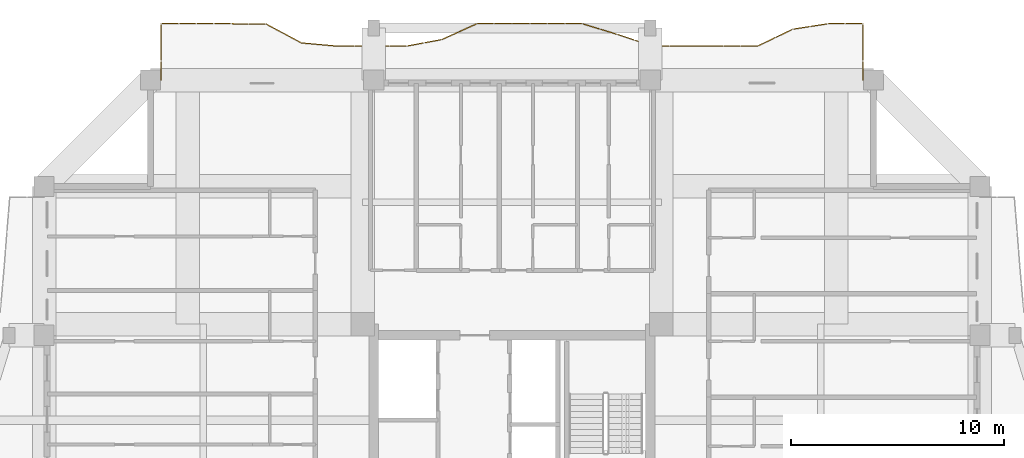
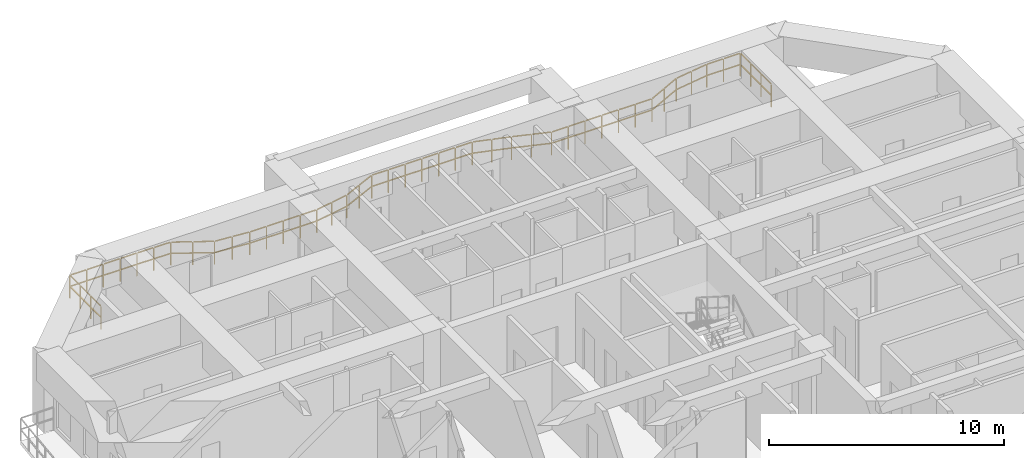
# One storey, part 15 of 15: 1 railing.
"""IFC4 building model written with IfcOpenShell, lengths in metres."""

from ifc_helpers import new_model, si_unit, direction, frame, origin, origin_2d, place, context, subcontext, project, spatial, rectangle, extrude, material, type_object, element, save


model = new_model("IFC4")

# Units and contexts
model_context = context("Model", 3, precision=1e-05, world=origin(), true_north=direction((0.0, 1.0)))
body_context = subcontext(model_context, "Body", "Model", "MODEL_VIEW")
ifc_project = project(units=[si_unit("LENGTHUNIT", "METRE"), si_unit("AREAUNIT", "SQUARE_METRE"), si_unit("VOLUMEUNIT", "CUBIC_METRE"), si_unit("PLANEANGLEUNIT", "RADIAN"), si_unit("MASSUNIT", "GRAM", prefix="KILO")], contexts=[model_context])

# Site, building, storey
site_placement = place(None, origin())
site = spatial("IfcSite", under=ifc_project, at=site_placement, CompositionType="ELEMENT")
building_placement = place(site_placement, origin())
building = spatial("IfcBuilding", under=site, at=building_placement, Name="Saelheon Loggia Tower", CompositionType="ELEMENT")
storey_placement = place(building_placement, frame((0.0, 0.0, 169.0)))
storey = spatial("IfcBuildingStorey", under=building, at=storey_placement, Name="L53", CompositionType="ELEMENT", Elevation=169.0)

# Railing
ifc_material = material(Name="Architectural Precast Concrete and Laminated Glass Guard", Category="concrete")
railing_type = type_object("IfcRailingType", Name="Guard_Loggia_RL_LOG", PredefinedType="BALUSTRADE", material=ifc_material)
railing_placement = place(storey_placement, frame((54.5, 48.0, 0.0)))
element("IfcRailing", 1, at=railing_placement, inside=storey, type_object=railing_type, Name="L53 North Loggia Balustrade", PredefinedType="BALUSTRADE", context=body_context, shape_type="SweptSolid", body=[
    extrude(rectangle(XDim=0.048095703125, YDim=0.048095703125, at=origin_2d()), frame((0.0, 0.033203125, 1.19580078125), z_axis=(0.0, 1.0, 0.0), x_axis=(-1.0, 0.0, 0.0)), (0.0, 0.0, 1.0), 0.81689453125),
    extrude(rectangle(XDim=0.048095703125, YDim=0.048095703125, at=origin_2d()), frame((0.0, 0.033203125, 0.60986328125), z_axis=(0.0, 1.0, 0.0), x_axis=(-1.0, 0.0, 0.0)), (0.0, 0.0, 1.0), 0.81689453125),
    extrude(rectangle(XDim=0.048095703125, YDim=0.048095703125, at=origin_2d()), frame((0.0, 0.91650390625, 1.19580078125), z_axis=(0.0, 1.0, 0.0), x_axis=(-1.0, 0.0, 0.0)), (0.0, 0.0, 1.0), 0.81689453125),
    extrude(rectangle(XDim=0.048095703125, YDim=0.048095703125, at=origin_2d()), frame((0.0, 0.91650390625, 0.60986328125), z_axis=(0.0, 1.0, 0.0), x_axis=(-1.0, 0.0, 0.0)), (0.0, 0.0, 1.0), 0.81689453125),
    extrude(rectangle(XDim=0.048095703125, YDim=0.048095703125, at=origin_2d()), frame((0.0, 1.7998046875, 1.19580078125), z_axis=(0.0, 1.0, 0.0), x_axis=(-1.0, 0.0, 0.0)), (0.0, 0.0, 1.0), 0.81689453125),
    extrude(rectangle(XDim=0.048095703125, YDim=0.048095703125, at=origin_2d()), frame((0.0, 1.7998046875, 0.60986328125), z_axis=(0.0, 1.0, 0.0), x_axis=(-1.0, 0.0, 0.0)), (0.0, 0.0, 1.0), 0.81689453125),
    extrude(rectangle(XDim=0.048095703125, YDim=0.048095703125, at=origin_2d()), frame((-0.033203125, 2.64990234375, 1.19580078125), z_axis=(-1.0, 0.0, 0.0), x_axis=(0.0, -1.0, 0.0)), (0.0, 0.0, 1.0), 0.758544921875),
    extrude(rectangle(XDim=0.048095703125, YDim=0.048095703125, at=origin_2d()), frame((-0.033203125, 2.64990234375, 0.60986328125), z_axis=(-1.0, 0.0, 0.0), x_axis=(0.0, -1.0, 0.0)), (0.0, 0.0, 1.0), 0.758544921875),
    extrude(rectangle(XDim=0.048095703125, YDim=0.048095703125, at=origin_2d()), frame((-0.858154296875, 2.64990234375, 1.19580078125), z_axis=(-1.0, 0.0, 0.0), x_axis=(0.0, -1.0, 0.0)), (0.0, 0.0, 1.0), 0.758544921875),
    extrude(rectangle(XDim=0.048095703125, YDim=0.048095703125, at=origin_2d()), frame((-0.858154296875, 2.64990234375, 0.60986328125), z_axis=(-1.0, 0.0, 0.0), x_axis=(0.0, -1.0, 0.0)), (0.0, 0.0, 1.0), 0.758544921875),
    extrude(rectangle(XDim=0.048095703125, YDim=0.048095703125, at=origin_2d()), frame((-1.682861328125, 2.644775390625, 1.19580078125), z_axis=(-0.988125348909, -0.153649910002, 0.0), x_axis=(0.153649910002, -0.988125348909, 0.0)), (0.0, 0.0, 1.0), 0.7685546875),
    extrude(rectangle(XDim=0.048095703125, YDim=0.048095703125, at=origin_2d()), frame((-1.682861328125, 2.644775390625, 0.60986328125), z_axis=(-0.988125348909, -0.153649910002, 0.0), x_axis=(0.153649910002, -0.988125348909, 0.0)), (0.0, 0.0, 1.0), 0.7685546875),
    extrude(rectangle(XDim=0.048095703125, YDim=0.048095703125, at=origin_2d()), frame((-2.5078125, 2.5166015625, 1.19580078125), z_axis=(-0.988125348909, -0.153649910002, 0.0), x_axis=(0.153649910002, -0.988125348909, 0.0)), (0.0, 0.0, 1.0), 0.7685546875),
    extrude(rectangle(XDim=0.048095703125, YDim=0.048095703125, at=origin_2d()), frame((-2.5078125, 2.5166015625, 0.60986328125), z_axis=(-0.988125348909, -0.153649910002, 0.0), x_axis=(0.153649910002, -0.988125348909, 0.0)), (0.0, 0.0, 1.0), 0.7685546875),
    extrude(rectangle(XDim=0.048095703125, YDim=0.048095703125, at=origin_2d()), frame((-3.330078125, 2.37890625, 1.19580078125), z_axis=(-0.901254427536, -0.43329026858, 0.0), x_axis=(0.43329026858, -0.901254427536, 0.0)), (0.0, 0.0, 1.0), 0.848876953125),
    extrude(rectangle(XDim=0.048095703125, YDim=0.048095703125, at=origin_2d()), frame((-3.330078125, 2.37890625, 0.60986328125), z_axis=(-0.901254427536, -0.43329026858, 0.0), x_axis=(0.43329026858, -0.901254427536, 0.0)), (0.0, 0.0, 1.0), 0.848876953125),
    extrude(rectangle(XDim=0.048095703125, YDim=0.048095703125, at=origin_2d()), frame((-4.155029296875, 1.982421875, 1.19580078125), z_axis=(-0.901254427536, -0.43329026858, 0.0), x_axis=(0.43329026858, -0.901254427536, 0.0)), (0.0, 0.0, 1.0), 0.848876953125),
    extrude(rectangle(XDim=0.048095703125, YDim=0.048095703125, at=origin_2d()), frame((-4.155029296875, 1.982421875, 0.60986328125), z_axis=(-0.901254427536, -0.43329026858, 0.0), x_axis=(0.43329026858, -0.901254427536, 0.0)), (0.0, 0.0, 1.0), 0.848876953125),
    extrude(rectangle(XDim=0.048095703125, YDim=0.048095703125, at=origin_2d()), frame((-4.983154296875, 1.60009765625, 1.19580078125), z_axis=(-1.0, 0.0, 0.0), x_axis=(0.0, -1.0, 0.0)), (0.0, 0.0, 1.0), 0.758544921875),
    extrude(rectangle(XDim=0.048095703125, YDim=0.048095703125, at=origin_2d()), frame((-4.983154296875, 1.60009765625, 0.60986328125), z_axis=(-1.0, 0.0, 0.0), x_axis=(0.0, -1.0, 0.0)), (0.0, 0.0, 1.0), 0.758544921875),
    extrude(rectangle(XDim=0.048095703125, YDim=0.048095703125, at=origin_2d()), frame((-5.808349609375, 1.60009765625, 1.19580078125), z_axis=(-1.0, 0.0, 0.0), x_axis=(0.0, -1.0, 0.0)), (0.0, 0.0, 1.0), 0.758544921875),
    extrude(rectangle(XDim=0.048095703125, YDim=0.048095703125, at=origin_2d()), frame((-5.808349609375, 1.60009765625, 0.60986328125), z_axis=(-1.0, 0.0, 0.0), x_axis=(0.0, -1.0, 0.0)), (0.0, 0.0, 1.0), 0.758544921875),
    extrude(rectangle(XDim=0.048095703125, YDim=0.048095703125, at=origin_2d()), frame((-6.63330078125, 1.60009765625, 1.19580078125), z_axis=(-1.0, 0.0, 0.0), x_axis=(0.0, -1.0, 0.0)), (0.0, 0.0, 1.0), 0.758544921875),
    extrude(rectangle(XDim=0.048095703125, YDim=0.048095703125, at=origin_2d()), frame((-6.63330078125, 1.60009765625, 0.60986328125), z_axis=(-1.0, 0.0, 0.0), x_axis=(0.0, -1.0, 0.0)), (0.0, 0.0, 1.0), 0.758544921875),
    extrude(rectangle(XDim=0.048095703125, YDim=0.048095703125, at=origin_2d()), frame((-7.458251953125, 1.60009765625, 1.19580078125), z_axis=(-1.0, 0.0, 0.0), x_axis=(0.0, -1.0, 0.0)), (0.0, 0.0, 1.0), 0.758544921875),
    extrude(rectangle(XDim=0.048095703125, YDim=0.048095703125, at=origin_2d()), frame((-7.458251953125, 1.60009765625, 0.60986328125), z_axis=(-1.0, 0.0, 0.0), x_axis=(0.0, -1.0, 0.0)), (0.0, 0.0, 1.0), 0.758544921875),
    extrude(rectangle(XDim=0.048095703125, YDim=0.048095703125, at=origin_2d()), frame((-8.283203125, 1.60009765625, 1.19580078125), z_axis=(-1.0, 0.0, 0.0), x_axis=(0.0, -1.0, 0.0)), (0.0, 0.0, 1.0), 0.758544921875),
    extrude(rectangle(XDim=0.048095703125, YDim=0.048095703125, at=origin_2d()), frame((-8.283203125, 1.60009765625, 0.60986328125), z_axis=(-1.0, 0.0, 0.0), x_axis=(0.0, -1.0, 0.0)), (0.0, 0.0, 1.0), 0.758544921875),
    extrude(rectangle(XDim=0.048095703125, YDim=0.048095703125, at=origin_2d()), frame((-9.108154296875, 1.60009765625, 1.19580078125), z_axis=(-1.0, 0.0, 0.0), x_axis=(0.0, -1.0, 0.0)), (0.0, 0.0, 1.0), 0.758544921875),
    extrude(rectangle(XDim=0.048095703125, YDim=0.048095703125, at=origin_2d()), frame((-9.108154296875, 1.60009765625, 0.60986328125), z_axis=(-1.0, 0.0, 0.0), x_axis=(0.0, -1.0, 0.0)), (0.0, 0.0, 1.0), 0.758544921875),
    extrude(rectangle(XDim=0.048095703125, YDim=0.048095703125, at=origin_2d()), frame((-9.931396484375, 1.610595703125, 1.19580078125), z_axis=(-0.948725399067, 0.316101434931, 0.0), x_axis=(-0.316101434931, -0.948725399067, 0.0)), (0.0, 0.0, 1.0), 0.80322265625),
    extrude(rectangle(XDim=0.048095703125, YDim=0.048095703125, at=origin_2d()), frame((-9.931396484375, 1.610595703125, 0.60986328125), z_axis=(-0.948725399067, 0.316101434931, 0.0), x_axis=(-0.316101434931, -0.948725399067, 0.0)), (0.0, 0.0, 1.0), 0.80322265625),
    extrude(rectangle(XDim=0.048095703125, YDim=0.048095703125, at=origin_2d()), frame((-10.756591796875, 1.885498046875, 1.19580078125), z_axis=(-0.948725399067, 0.316101434931, 0.0), x_axis=(-0.316101434931, -0.948725399067, 0.0)), (0.0, 0.0, 1.0), 0.80322265625),
    extrude(rectangle(XDim=0.048095703125, YDim=0.048095703125, at=origin_2d()), frame((-10.756591796875, 1.885498046875, 0.60986328125), z_axis=(-0.948725399067, 0.316101434931, 0.0), x_axis=(-0.316101434931, -0.948725399067, 0.0)), (0.0, 0.0, 1.0), 0.80322265625),
    extrude(rectangle(XDim=0.048095703125, YDim=0.048095703125, at=origin_2d()), frame((-11.581787109375, 2.159423828125, 1.19580078125), z_axis=(-0.957019640205, 0.290023116771, 0.0), x_axis=(-0.290023116771, -0.957019640205, 0.0)), (0.0, 0.0, 1.0), 0.79541015625),
    extrude(rectangle(XDim=0.048095703125, YDim=0.048095703125, at=origin_2d()), frame((-11.581787109375, 2.159423828125, 0.60986328125), z_axis=(-0.957019640205, 0.290023116771, 0.0), x_axis=(-0.290023116771, -0.957019640205, 0.0)), (0.0, 0.0, 1.0), 0.79541015625),
    extrude(rectangle(XDim=0.048095703125, YDim=0.048095703125, at=origin_2d()), frame((-12.40673828125, 2.409423828125, 1.19580078125), z_axis=(-0.957019640205, 0.290023116771, 0.0), x_axis=(-0.290023116771, -0.957019640205, 0.0)), (0.0, 0.0, 1.0), 0.79541015625),
    extrude(rectangle(XDim=0.048095703125, YDim=0.048095703125, at=origin_2d()), frame((-12.40673828125, 2.409423828125, 0.60986328125), z_axis=(-0.957019640205, 0.290023116771, 0.0), x_axis=(-0.290023116771, -0.957019640205, 0.0)), (0.0, 0.0, 1.0), 0.79541015625),
    extrude(rectangle(XDim=0.048095703125, YDim=0.048095703125, at=origin_2d()), frame((-13.233154296875, 2.64990234375, 1.19580078125), z_axis=(-1.0, 0.0, 0.0), x_axis=(0.0, -1.0, 0.0)), (0.0, 0.0, 1.0), 0.758544921875),
    extrude(rectangle(XDim=0.048095703125, YDim=0.048095703125, at=origin_2d()), frame((-13.233154296875, 2.64990234375, 0.60986328125), z_axis=(-1.0, 0.0, 0.0), x_axis=(0.0, -1.0, 0.0)), (0.0, 0.0, 1.0), 0.758544921875),
    extrude(rectangle(XDim=0.048095703125, YDim=0.048095703125, at=origin_2d()), frame((-14.058349609375, 2.64990234375, 1.19580078125), z_axis=(-1.0, 0.0, 0.0), x_axis=(0.0, -1.0, 0.0)), (0.0, 0.0, 1.0), 0.758544921875),
    extrude(rectangle(XDim=0.048095703125, YDim=0.048095703125, at=origin_2d()), frame((-14.058349609375, 2.64990234375, 0.60986328125), z_axis=(-1.0, 0.0, 0.0), x_axis=(0.0, -1.0, 0.0)), (0.0, 0.0, 1.0), 0.758544921875),
    extrude(rectangle(XDim=0.048095703125, YDim=0.048095703125, at=origin_2d()), frame((-14.88330078125, 2.64990234375, 1.19580078125), z_axis=(-1.0, 0.0, 0.0), x_axis=(0.0, -1.0, 0.0)), (0.0, 0.0, 1.0), 0.758544921875),
    extrude(rectangle(XDim=0.048095703125, YDim=0.048095703125, at=origin_2d()), frame((-14.88330078125, 2.64990234375, 0.60986328125), z_axis=(-1.0, 0.0, 0.0), x_axis=(0.0, -1.0, 0.0)), (0.0, 0.0, 1.0), 0.758544921875),
    extrude(rectangle(XDim=0.048095703125, YDim=0.048095703125, at=origin_2d()), frame((-15.708251953125, 2.64990234375, 1.19580078125), z_axis=(-1.0, 0.0, 0.0), x_axis=(0.0, -1.0, 0.0)), (0.0, 0.0, 1.0), 0.758544921875),
    extrude(rectangle(XDim=0.048095703125, YDim=0.048095703125, at=origin_2d()), frame((-15.708251953125, 2.64990234375, 0.60986328125), z_axis=(-1.0, 0.0, 0.0), x_axis=(0.0, -1.0, 0.0)), (0.0, 0.0, 1.0), 0.758544921875),
    extrude(rectangle(XDim=0.048095703125, YDim=0.048095703125, at=origin_2d()), frame((-16.533203125, 2.64990234375, 1.19580078125), z_axis=(-1.0, 0.0, 0.0), x_axis=(0.0, -1.0, 0.0)), (0.0, 0.0, 1.0), 0.758544921875),
    extrude(rectangle(XDim=0.048095703125, YDim=0.048095703125, at=origin_2d()), frame((-16.533203125, 2.64990234375, 0.60986328125), z_axis=(-1.0, 0.0, 0.0), x_axis=(0.0, -1.0, 0.0)), (0.0, 0.0, 1.0), 0.758544921875),
    extrude(rectangle(XDim=0.048095703125, YDim=0.048095703125, at=origin_2d()), frame((-17.358154296875, 2.64990234375, 1.19580078125), z_axis=(-1.0, 0.0, 0.0), x_axis=(0.0, -1.0, 0.0)), (0.0, 0.0, 1.0), 0.758544921875),
    extrude(rectangle(XDim=0.048095703125, YDim=0.048095703125, at=origin_2d()), frame((-17.358154296875, 2.64990234375, 0.60986328125), z_axis=(-1.0, 0.0, 0.0), x_axis=(0.0, -1.0, 0.0)), (0.0, 0.0, 1.0), 0.758544921875),
    extrude(rectangle(XDim=0.048095703125, YDim=0.048095703125, at=origin_2d()), frame((-18.18017578125, 2.63623046875, 1.19580078125), z_axis=(-0.911797780873, -0.41063950954, 0.0), x_axis=(0.41063950954, -0.911797780873, 0.0)), (0.0, 0.0, 1.0), 0.83837890625),
    extrude(rectangle(XDim=0.048095703125, YDim=0.048095703125, at=origin_2d()), frame((-18.18017578125, 2.63623046875, 0.60986328125), z_axis=(-0.911797780873, -0.41063950954, 0.0), x_axis=(0.41063950954, -0.911797780873, 0.0)), (0.0, 0.0, 1.0), 0.83837890625),
    extrude(rectangle(XDim=0.048095703125, YDim=0.048095703125, at=origin_2d()), frame((-19.00537109375, 2.2646484375, 1.19580078125), z_axis=(-0.911797780873, -0.41063950954, 0.0), x_axis=(0.41063950954, -0.911797780873, 0.0)), (0.0, 0.0, 1.0), 0.83837890625),
    extrude(rectangle(XDim=0.048095703125, YDim=0.048095703125, at=origin_2d()), frame((-19.00537109375, 2.2646484375, 0.60986328125), z_axis=(-0.911797780873, -0.41063950954, 0.0), x_axis=(0.41063950954, -0.911797780873, 0.0)), (0.0, 0.0, 1.0), 0.83837890625),
    extrude(rectangle(XDim=0.048095703125, YDim=0.048095703125, at=origin_2d()), frame((-19.832763671875, 1.900634765625, 1.19580078125), z_axis=(-0.983164102329, -0.182724787293, 0.0), x_axis=(0.182724787293, -0.983164102329, 0.0)), (0.0, 0.0, 1.0), 0.772705078125),
    extrude(rectangle(XDim=0.048095703125, YDim=0.048095703125, at=origin_2d()), frame((-19.832763671875, 1.900634765625, 0.60986328125), z_axis=(-0.983164102329, -0.182724787293, 0.0), x_axis=(0.182724787293, -0.983164102329, 0.0)), (0.0, 0.0, 1.0), 0.772705078125),
    extrude(rectangle(XDim=0.048095703125, YDim=0.048095703125, at=origin_2d()), frame((-20.65771484375, 1.747314453125, 1.19580078125), z_axis=(-0.983164102329, -0.182724787293, 0.0), x_axis=(0.182724787293, -0.983164102329, 0.0)), (0.0, 0.0, 1.0), 0.772705078125),
    extrude(rectangle(XDim=0.048095703125, YDim=0.048095703125, at=origin_2d()), frame((-20.65771484375, 1.747314453125, 0.60986328125), z_axis=(-0.983164102329, -0.182724787293, 0.0), x_axis=(0.182724787293, -0.983164102329, 0.0)), (0.0, 0.0, 1.0), 0.772705078125),
    extrude(rectangle(XDim=0.048095703125, YDim=0.048095703125, at=origin_2d()), frame((-21.483154296875, 1.60009765625, 1.19580078125), z_axis=(-1.0, 0.0, 0.0), x_axis=(0.0, -1.0, 0.0)), (0.0, 0.0, 1.0), 0.758544921875),
    extrude(rectangle(XDim=0.048095703125, YDim=0.048095703125, at=origin_2d()), frame((-21.483154296875, 1.60009765625, 0.60986328125), z_axis=(-1.0, 0.0, 0.0), x_axis=(0.0, -1.0, 0.0)), (0.0, 0.0, 1.0), 0.758544921875),
    extrude(rectangle(XDim=0.048095703125, YDim=0.048095703125, at=origin_2d()), frame((-22.308349609375, 1.60009765625, 1.19580078125), z_axis=(-1.0, 0.0, 0.0), x_axis=(0.0, -1.0, 0.0)), (0.0, 0.0, 1.0), 0.758544921875),
    extrude(rectangle(XDim=0.048095703125, YDim=0.048095703125, at=origin_2d()), frame((-22.308349609375, 1.60009765625, 0.60986328125), z_axis=(-1.0, 0.0, 0.0), x_axis=(0.0, -1.0, 0.0)), (0.0, 0.0, 1.0), 0.758544921875),
    extrude(rectangle(XDim=0.048095703125, YDim=0.048095703125, at=origin_2d()), frame((-23.13330078125, 1.60009765625, 1.19580078125), z_axis=(-1.0, 0.0, 0.0), x_axis=(0.0, -1.0, 0.0)), (0.0, 0.0, 1.0), 0.758544921875),
    extrude(rectangle(XDim=0.048095703125, YDim=0.048095703125, at=origin_2d()), frame((-23.13330078125, 1.60009765625, 0.60986328125), z_axis=(-1.0, 0.0, 0.0), x_axis=(0.0, -1.0, 0.0)), (0.0, 0.0, 1.0), 0.758544921875),
    extrude(rectangle(XDim=0.048095703125, YDim=0.048095703125, at=origin_2d()), frame((-23.958251953125, 1.60009765625, 1.19580078125), z_axis=(-1.0, 0.0, 0.0), x_axis=(0.0, -1.0, 0.0)), (0.0, 0.0, 1.0), 0.758544921875),
    extrude(rectangle(XDim=0.048095703125, YDim=0.048095703125, at=origin_2d()), frame((-23.958251953125, 1.60009765625, 0.60986328125), z_axis=(-1.0, 0.0, 0.0), x_axis=(0.0, -1.0, 0.0)), (0.0, 0.0, 1.0), 0.758544921875),
    extrude(rectangle(XDim=0.048095703125, YDim=0.048095703125, at=origin_2d()), frame((-24.783203125, 1.60302734375, 1.19580078125), z_axis=(-0.995990475116, 0.089459339804, 0.0), x_axis=(-0.089459339804, -0.995990475116, 0.0)), (0.0, 0.0, 1.0), 0.76171875),
    extrude(rectangle(XDim=0.048095703125, YDim=0.048095703125, at=origin_2d()), frame((-24.783203125, 1.60302734375, 0.60986328125), z_axis=(-0.995990475116, 0.089459339804, 0.0), x_axis=(-0.089459339804, -0.995990475116, 0.0)), (0.0, 0.0, 1.0), 0.76171875),
    extrude(rectangle(XDim=0.048095703125, YDim=0.048095703125, at=origin_2d()), frame((-25.608154296875, 1.67724609375, 1.19580078125), z_axis=(-0.995990475116, 0.089459339804, 0.0), x_axis=(-0.089459339804, -0.995990475116, 0.0)), (0.0, 0.0, 1.0), 0.76171875),
    extrude(rectangle(XDim=0.048095703125, YDim=0.048095703125, at=origin_2d()), frame((-25.608154296875, 1.67724609375, 0.60986328125), z_axis=(-0.995990475116, 0.089459339804, 0.0), x_axis=(-0.089459339804, -0.995990475116, 0.0)), (0.0, 0.0, 1.0), 0.76171875),
    extrude(rectangle(XDim=0.048095703125, YDim=0.048095703125, at=origin_2d()), frame((-26.42919921875, 1.763916015625, 1.19580078125), z_axis=(-0.882287890953, 0.470710184166, 0.0), x_axis=(-0.470710184166, -0.882287890953, 0.0)), (0.0, 0.0, 1.0), 0.86865234375),
    extrude(rectangle(XDim=0.048095703125, YDim=0.048095703125, at=origin_2d()), frame((-26.42919921875, 1.763916015625, 0.60986328125), z_axis=(-0.882287890953, 0.470710184166, 0.0), x_axis=(-0.470710184166, -0.882287890953, 0.0)), (0.0, 0.0, 1.0), 0.86865234375),
    extrude(rectangle(XDim=0.048095703125, YDim=0.048095703125, at=origin_2d()), frame((-27.25439453125, 2.2041015625, 1.19580078125), z_axis=(-0.882287890953, 0.470710184166, 0.0), x_axis=(-0.470710184166, -0.882287890953, 0.0)), (0.0, 0.0, 1.0), 0.86865234375),
    extrude(rectangle(XDim=0.048095703125, YDim=0.048095703125, at=origin_2d()), frame((-27.25439453125, 2.2041015625, 0.60986328125), z_axis=(-0.882287890953, 0.470710184166, 0.0), x_axis=(-0.470710184166, -0.882287890953, 0.0)), (0.0, 0.0, 1.0), 0.86865234375),
    extrude(rectangle(XDim=0.048095703125, YDim=0.048095703125, at=origin_2d()), frame((-28.083251953125, 2.629150390625, 1.19580078125), z_axis=(-0.999917145108, 0.012872564609, 0.0), x_axis=(-0.012872564609, -0.999917145108, 0.0)), (0.0, 0.0, 1.0), 0.758544921875),
    extrude(rectangle(XDim=0.048095703125, YDim=0.048095703125, at=origin_2d()), frame((-28.083251953125, 2.629150390625, 0.60986328125), z_axis=(-0.999917145108, 0.012872564609, 0.0), x_axis=(-0.012872564609, -0.999917145108, 0.0)), (0.0, 0.0, 1.0), 0.758544921875),
    extrude(rectangle(XDim=0.048095703125, YDim=0.048095703125, at=origin_2d()), frame((-28.908203125, 2.6396484375, 1.19580078125), z_axis=(-0.999917145108, 0.012872564609, 0.0), x_axis=(-0.012872564609, -0.999917145108, 0.0)), (0.0, 0.0, 1.0), 0.758544921875),
    extrude(rectangle(XDim=0.048095703125, YDim=0.048095703125, at=origin_2d()), frame((-28.908203125, 2.6396484375, 0.60986328125), z_axis=(-0.999917145108, 0.012872564609, 0.0), x_axis=(-0.012872564609, -0.999917145108, 0.0)), (0.0, 0.0, 1.0), 0.758544921875),
    extrude(rectangle(XDim=0.048095703125, YDim=0.048095703125, at=origin_2d()), frame((-29.733154296875, 2.64990234375, 1.19580078125), z_axis=(-1.0, 0.0, 0.0), x_axis=(0.0, -1.0, 0.0)), (0.0, 0.0, 1.0), 0.758544921875),
    extrude(rectangle(XDim=0.048095703125, YDim=0.048095703125, at=origin_2d()), frame((-29.733154296875, 2.64990234375, 0.60986328125), z_axis=(-1.0, 0.0, 0.0), x_axis=(0.0, -1.0, 0.0)), (0.0, 0.0, 1.0), 0.758544921875),
    extrude(rectangle(XDim=0.048095703125, YDim=0.048095703125, at=origin_2d()), frame((-30.558349609375, 2.64990234375, 1.19580078125), z_axis=(-1.0, 0.0, 0.0), x_axis=(0.0, -1.0, 0.0)), (0.0, 0.0, 1.0), 0.758544921875),
    extrude(rectangle(XDim=0.048095703125, YDim=0.048095703125, at=origin_2d()), frame((-30.558349609375, 2.64990234375, 0.60986328125), z_axis=(-1.0, 0.0, 0.0), x_axis=(0.0, -1.0, 0.0)), (0.0, 0.0, 1.0), 0.758544921875),
    extrude(rectangle(XDim=0.048095703125, YDim=0.048095703125, at=origin_2d()), frame((-31.38330078125, 2.64990234375, 1.19580078125), z_axis=(-1.0, 0.0, 0.0), x_axis=(0.0, -1.0, 0.0)), (0.0, 0.0, 1.0), 0.758544921875),
    extrude(rectangle(XDim=0.048095703125, YDim=0.048095703125, at=origin_2d()), frame((-31.38330078125, 2.64990234375, 0.60986328125), z_axis=(-1.0, 0.0, 0.0), x_axis=(0.0, -1.0, 0.0)), (0.0, 0.0, 1.0), 0.758544921875),
    extrude(rectangle(XDim=0.048095703125, YDim=0.048095703125, at=origin_2d()), frame((-32.208251953125, 2.64990234375, 1.19580078125), z_axis=(-1.0, 0.0, 0.0), x_axis=(0.0, -1.0, 0.0)), (0.0, 0.0, 1.0), 0.758544921875),
    extrude(rectangle(XDim=0.048095703125, YDim=0.048095703125, at=origin_2d()), frame((-32.208251953125, 2.64990234375, 0.60986328125), z_axis=(-1.0, 0.0, 0.0), x_axis=(0.0, -1.0, 0.0)), (0.0, 0.0, 1.0), 0.758544921875),
    extrude(rectangle(XDim=0.048095703125, YDim=0.048095703125, at=origin_2d()), frame((-33.0, 2.61669921875, 1.19580078125), z_axis=(0.0, -1.0, 0.0), x_axis=(1.0, 0.0, 0.0)), (0.0, 0.0, 1.0), 0.81689453125),
    extrude(rectangle(XDim=0.048095703125, YDim=0.048095703125, at=origin_2d()), frame((-33.0, 2.61669921875, 0.60986328125), z_axis=(0.0, -1.0, 0.0), x_axis=(1.0, 0.0, 0.0)), (0.0, 0.0, 1.0), 0.81689453125),
    extrude(rectangle(XDim=0.048095703125, YDim=0.048095703125, at=origin_2d()), frame((-33.0, 1.7333984375, 1.19580078125), z_axis=(0.0, -1.0, 0.0), x_axis=(1.0, 0.0, 0.0)), (0.0, 0.0, 1.0), 0.81689453125),
    extrude(rectangle(XDim=0.048095703125, YDim=0.048095703125, at=origin_2d()), frame((-33.0, 1.7333984375, 0.60986328125), z_axis=(0.0, -1.0, 0.0), x_axis=(1.0, 0.0, 0.0)), (0.0, 0.0, 1.0), 0.81689453125),
    extrude(rectangle(XDim=0.048095703125, YDim=0.048095703125, at=origin_2d()), frame((-33.0, 0.85009765625, 1.19580078125), z_axis=(0.0, -1.0, 0.0), x_axis=(1.0, 0.0, 0.0)), (0.0, 0.0, 1.0), 0.81689453125),
    extrude(rectangle(XDim=0.048095703125, YDim=0.048095703125, at=origin_2d()), frame((-33.0, 0.85009765625, 0.60986328125), z_axis=(0.0, -1.0, 0.0), x_axis=(1.0, 0.0, 0.0)), (0.0, 0.0, 1.0), 0.81689453125),
    extrude(rectangle(XDim=0.0419921875, YDim=0.0419921875, at=origin_2d()), origin(), (0.0, 0.0, 1.0), 1.16796875),
    extrude(rectangle(XDim=0.0419921875, YDim=0.0419921875, at=origin_2d()), frame((0.0, 0.88330078125, 0.0)), (0.0, 0.0, 1.0), 1.16796875),
    extrude(rectangle(XDim=0.0419921875, YDim=0.0419921875, at=origin_2d()), frame((0.0, 1.7666015625, 0.0)), (0.0, 0.0, 1.0), 1.16796875),
    extrude(rectangle(XDim=0.0419921875, YDim=0.0419921875, at=origin_2d()), frame((0.0, 2.64990234375, 0.0)), (0.0, 0.0, 1.0), 1.16796875),
    extrude(rectangle(XDim=0.0419921875, YDim=0.0419921875, at=origin_2d()), frame((-0.824951171875, 2.64990234375, 0.0)), (0.0, 0.0, 1.0), 1.16796875),
    extrude(rectangle(XDim=0.0419921875, YDim=0.0419921875, at=origin_2d()), frame((-1.64990234375, 2.64990234375, 0.0)), (0.0, 0.0, 1.0), 1.16796875),
    extrude(rectangle(XDim=0.0419921875, YDim=0.0419921875, at=origin_2d()), frame((-2.47509765625, 2.521484375, 0.0)), (0.0, 0.0, 1.0), 1.16796875),
    extrude(rectangle(XDim=0.0419921875, YDim=0.0419921875, at=origin_2d()), frame((-3.300048828125, 2.393310546875, 0.0)), (0.0, 0.0, 1.0), 1.16796875),
    extrude(rectangle(XDim=0.0419921875, YDim=0.0419921875, at=origin_2d()), frame((-4.125, 1.99658203125, 0.0)), (0.0, 0.0, 1.0), 1.16796875),
    extrude(rectangle(XDim=0.0419921875, YDim=0.0419921875, at=origin_2d()), frame((-4.949951171875, 1.60009765625, 0.0)), (0.0, 0.0, 1.0), 1.16796875),
    extrude(rectangle(XDim=0.0419921875, YDim=0.0419921875, at=origin_2d()), frame((-5.77490234375, 1.60009765625, 0.0)), (0.0, 0.0, 1.0), 1.16796875),
    extrude(rectangle(XDim=0.0419921875, YDim=0.0419921875, at=origin_2d()), frame((-6.60009765625, 1.60009765625, 0.0)), (0.0, 0.0, 1.0), 1.16796875),
    extrude(rectangle(XDim=0.0419921875, YDim=0.0419921875, at=origin_2d()), frame((-7.425048828125, 1.60009765625, 0.0)), (0.0, 0.0, 1.0), 1.16796875),
    extrude(rectangle(XDim=0.0419921875, YDim=0.0419921875, at=origin_2d()), frame((-8.25, 1.60009765625, 0.0)), (0.0, 0.0, 1.0), 1.16796875),
    extrude(rectangle(XDim=0.0419921875, YDim=0.0419921875, at=origin_2d()), frame((-9.074951171875, 1.60009765625, 0.0)), (0.0, 0.0, 1.0), 1.16796875),
    extrude(rectangle(XDim=0.0419921875, YDim=0.0419921875, at=origin_2d()), frame((-9.89990234375, 1.60009765625, 0.0)), (0.0, 0.0, 1.0), 1.16796875),
    extrude(rectangle(XDim=0.0419921875, YDim=0.0419921875, at=origin_2d()), frame((-10.72509765625, 1.875, 0.0)), (0.0, 0.0, 1.0), 1.16796875),
    extrude(rectangle(XDim=0.0419921875, YDim=0.0419921875, at=origin_2d()), frame((-11.550048828125, 2.14990234375, 0.0)), (0.0, 0.0, 1.0), 1.16796875),
    extrude(rectangle(XDim=0.0419921875, YDim=0.0419921875, at=origin_2d()), frame((-12.375, 2.39990234375, 0.0)), (0.0, 0.0, 1.0), 1.16796875),
    extrude(rectangle(XDim=0.0419921875, YDim=0.0419921875, at=origin_2d()), frame((-13.199951171875, 2.64990234375, 0.0)), (0.0, 0.0, 1.0), 1.16796875),
    extrude(rectangle(XDim=0.0419921875, YDim=0.0419921875, at=origin_2d()), frame((-14.02490234375, 2.64990234375, 0.0)), (0.0, 0.0, 1.0), 1.16796875),
    extrude(rectangle(XDim=0.0419921875, YDim=0.0419921875, at=origin_2d()), frame((-14.85009765625, 2.64990234375, 0.0)), (0.0, 0.0, 1.0), 1.16796875),
    extrude(rectangle(XDim=0.0419921875, YDim=0.0419921875, at=origin_2d()), frame((-15.675048828125, 2.64990234375, 0.0)), (0.0, 0.0, 1.0), 1.16796875),
    extrude(rectangle(XDim=0.0419921875, YDim=0.0419921875, at=origin_2d()), frame((-16.5, 2.64990234375, 0.0)), (0.0, 0.0, 1.0), 1.16796875),
    extrude(rectangle(XDim=0.0419921875, YDim=0.0419921875, at=origin_2d()), frame((-17.324951171875, 2.64990234375, 0.0)), (0.0, 0.0, 1.0), 1.16796875),
    extrude(rectangle(XDim=0.0419921875, YDim=0.0419921875, at=origin_2d()), frame((-18.14990234375, 2.64990234375, 0.0)), (0.0, 0.0, 1.0), 1.16796875),
    extrude(rectangle(XDim=0.0419921875, YDim=0.0419921875, at=origin_2d()), frame((-18.97509765625, 2.2783203125, 0.0)), (0.0, 0.0, 1.0), 1.16796875),
    extrude(rectangle(XDim=0.0419921875, YDim=0.0419921875, at=origin_2d()), frame((-19.800048828125, 1.90673828125, 0.0)), (0.0, 0.0, 1.0), 1.16796875),
    extrude(rectangle(XDim=0.0419921875, YDim=0.0419921875, at=origin_2d()), frame((-20.625, 1.75341796875, 0.0)), (0.0, 0.0, 1.0), 1.16796875),
    extrude(rectangle(XDim=0.0419921875, YDim=0.0419921875, at=origin_2d()), frame((-21.449951171875, 1.60009765625, 0.0)), (0.0, 0.0, 1.0), 1.16796875),
    extrude(rectangle(XDim=0.0419921875, YDim=0.0419921875, at=origin_2d()), frame((-22.27490234375, 1.60009765625, 0.0)), (0.0, 0.0, 1.0), 1.16796875),
    extrude(rectangle(XDim=0.0419921875, YDim=0.0419921875, at=origin_2d()), frame((-23.10009765625, 1.60009765625, 0.0)), (0.0, 0.0, 1.0), 1.16796875),
    extrude(rectangle(XDim=0.0419921875, YDim=0.0419921875, at=origin_2d()), frame((-23.925048828125, 1.60009765625, 0.0)), (0.0, 0.0, 1.0), 1.16796875),
    extrude(rectangle(XDim=0.0419921875, YDim=0.0419921875, at=origin_2d()), frame((-24.75, 1.60009765625, 0.0)), (0.0, 0.0, 1.0), 1.16796875),
    extrude(rectangle(XDim=0.0419921875, YDim=0.0419921875, at=origin_2d()), frame((-25.574951171875, 1.67431640625, 0.0)), (0.0, 0.0, 1.0), 1.16796875),
    extrude(rectangle(XDim=0.0419921875, YDim=0.0419921875, at=origin_2d()), frame((-26.39990234375, 1.748291015625, 0.0)), (0.0, 0.0, 1.0), 1.16796875),
    extrude(rectangle(XDim=0.0419921875, YDim=0.0419921875, at=origin_2d()), frame((-27.22509765625, 2.1884765625, 0.0)), (0.0, 0.0, 1.0), 1.16796875),
    extrude(rectangle(XDim=0.0419921875, YDim=0.0419921875, at=origin_2d()), frame((-28.050048828125, 2.628662109375, 0.0)), (0.0, 0.0, 1.0), 1.16796875),
    extrude(rectangle(XDim=0.0419921875, YDim=0.0419921875, at=origin_2d()), frame((-28.875, 2.63916015625, 0.0)), (0.0, 0.0, 1.0), 1.16796875),
    extrude(rectangle(XDim=0.0419921875, YDim=0.0419921875, at=origin_2d()), frame((-29.699951171875, 2.64990234375, 0.0)), (0.0, 0.0, 1.0), 1.16796875),
    extrude(rectangle(XDim=0.0419921875, YDim=0.0419921875, at=origin_2d()), frame((-30.52490234375, 2.64990234375, 0.0)), (0.0, 0.0, 1.0), 1.16796875),
    extrude(rectangle(XDim=0.0419921875, YDim=0.0419921875, at=origin_2d()), frame((-31.35009765625, 2.64990234375, 0.0)), (0.0, 0.0, 1.0), 1.16796875),
    extrude(rectangle(XDim=0.0419921875, YDim=0.0419921875, at=origin_2d()), frame((-32.175048828125, 2.64990234375, 0.0)), (0.0, 0.0, 1.0), 1.16796875),
    extrude(rectangle(XDim=0.0419921875, YDim=0.0419921875, at=origin_2d()), frame((-33.0, 2.64990234375, 0.0)), (0.0, 0.0, 1.0), 1.16796875),
    extrude(rectangle(XDim=0.0419921875, YDim=0.0419921875, at=origin_2d()), frame((-33.0, 1.7666015625, 0.0)), (0.0, 0.0, 1.0), 1.16796875),
    extrude(rectangle(XDim=0.0419921875, YDim=0.0419921875, at=origin_2d()), frame((-33.0, 0.88330078125, 0.0)), (0.0, 0.0, 1.0), 1.16796875),
    extrude(rectangle(XDim=0.0419921875, YDim=0.0419921875, at=origin_2d()), frame((-33.0, 0.0, 0.0)), (0.0, 0.0, 1.0), 1.16796875),
])

save(model, "model.ifc")
